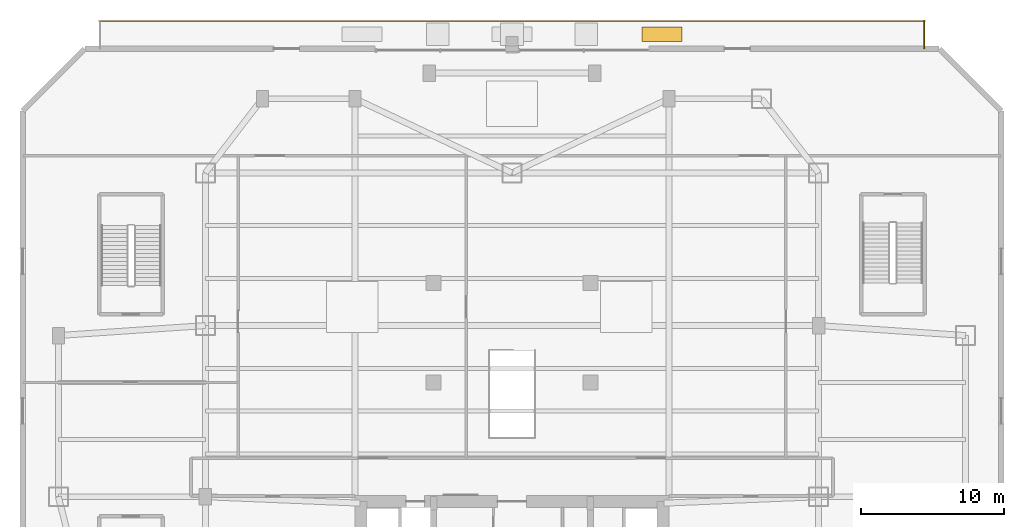
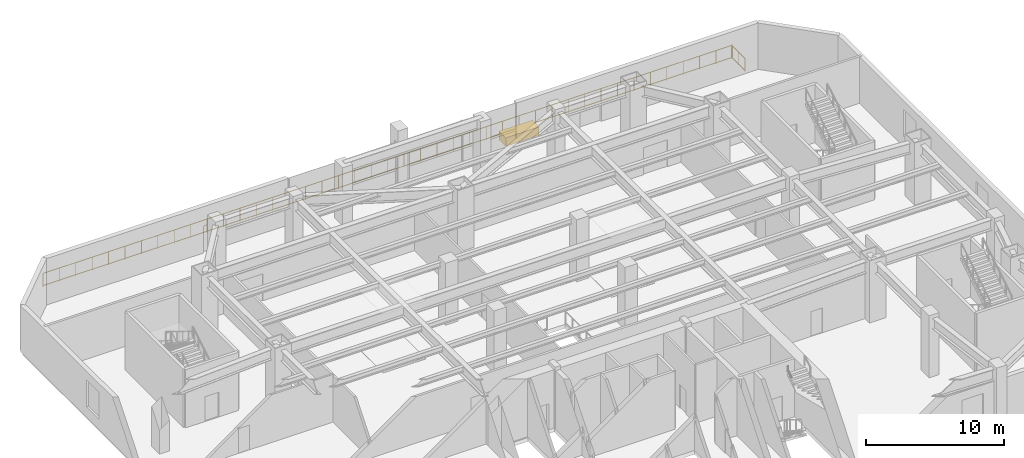
# One storey, part 10 of 10: 2 railings, 1 covering.
"""IFC4 building model written with IfcOpenShell, lengths in metres."""

from ifc_helpers import new_model, si_unit, direction, frame, origin, origin_2d, place, context, subcontext, project, spatial, rectangle, extrude, source, transform, mapped, material, layer, layer_set, type_object, type_shapes, element, save


model = new_model("IFC4")

# Units and contexts
model_context = context("Model", 3, precision=1e-05, world=origin(), true_north=direction((0.0, 1.0)))
body_context = subcontext(model_context, "Body", "Model", "MODEL_VIEW")
ifc_project = project(units=[si_unit("LENGTHUNIT", "METRE"), si_unit("AREAUNIT", "SQUARE_METRE"), si_unit("VOLUMEUNIT", "CUBIC_METRE"), si_unit("PLANEANGLEUNIT", "RADIAN"), si_unit("MASSUNIT", "GRAM", prefix="KILO")], contexts=[model_context])

# Site, building, storey
site_placement = place(None, origin())
site = spatial("IfcSite", under=ifc_project, at=site_placement, CompositionType="ELEMENT")
building_placement = place(site_placement, origin())
building = spatial("IfcBuilding", under=site, at=building_placement, Name="Varnakhor Terracotta Tower", CompositionType="ELEMENT")
storey_placement = place(building_placement, frame((0.0, 0.0, 5.5)))
storey = spatial("IfcBuildingStorey", under=building, at=storey_placement, Name="L01", CompositionType="ELEMENT", Elevation=5.5)

# Railings
ifc_material_1 = material(Name="Terracotta & Brushed Steel Balustrade", Category="masonry")
railing_type = type_object("IfcRailingType", Name="RLG-TERRACE-GUARD-1200", PredefinedType="BALUSTRADE", material=ifc_material_1)
railing_1_placement = place(storey_placement, frame((-28.949951171875, 49.85009765625, 0.0)))
element("IfcRailing", 1, at=railing_1_placement, inside=storey, type_object=railing_type, Name="L01 Terrace Stone Parapet Guard 1", PredefinedType="BALUSTRADE", context=body_context, shape_type="SweptSolid", body=[
    extrude(rectangle(XDim=0.048095703125, YDim=0.048095703125, at=origin_2d()), frame((0.0, 0.0, 1.17578125), z_axis=(1.0, 0.0, 0.0), x_axis=(0.0, 1.0, 0.0)), (0.0, 0.0, 1.0), 57.89990234375),
    extrude(rectangle(XDim=0.048095703125, YDim=0.048095703125, at=origin_2d()), frame((0.0, 0.0, 0.10009765625), z_axis=(1.0, 0.0, 0.0), x_axis=(0.0, 1.0, 0.0)), (0.0, 0.0, 1.0), 57.89990234375),
    extrude(rectangle(XDim=0.0419921875, YDim=0.0419921875, at=origin_2d()), origin(), (0.0, 0.0, 1.0), 1.15185546875),
    extrude(rectangle(XDim=0.0419921875, YDim=0.0419921875, at=origin_2d()), frame((1.378662109375, 0.0, 0.0)), (0.0, 0.0, 1.0), 1.15185546875),
    extrude(rectangle(XDim=0.0419921875, YDim=0.0419921875, at=origin_2d()), frame((2.757080078125, 0.0, 0.0)), (0.0, 0.0, 1.0), 1.15185546875),
    extrude(rectangle(XDim=0.0419921875, YDim=0.0419921875, at=origin_2d()), frame((4.1357421875, 0.0, 0.0)), (0.0, 0.0, 1.0), 1.15185546875),
    extrude(rectangle(XDim=0.0419921875, YDim=0.0419921875, at=origin_2d()), frame((5.51416015625, 0.0, 0.0)), (0.0, 0.0, 1.0), 1.15185546875),
    extrude(rectangle(XDim=0.0419921875, YDim=0.0419921875, at=origin_2d()), frame((6.892822265625, 0.0, 0.0)), (0.0, 0.0, 1.0), 1.15185546875),
    extrude(rectangle(XDim=0.0419921875, YDim=0.0419921875, at=origin_2d()), frame((8.271484375, 0.0, 0.0)), (0.0, 0.0, 1.0), 1.15185546875),
    extrude(rectangle(XDim=0.0419921875, YDim=0.0419921875, at=origin_2d()), frame((9.64990234375, 0.0, 0.0)), (0.0, 0.0, 1.0), 1.15185546875),
    extrude(rectangle(XDim=0.0419921875, YDim=0.0419921875, at=origin_2d()), frame((11.028564453125, 0.0, 0.0)), (0.0, 0.0, 1.0), 1.15185546875),
    extrude(rectangle(XDim=0.0419921875, YDim=0.0419921875, at=origin_2d()), frame((12.4072265625, 0.0, 0.0)), (0.0, 0.0, 1.0), 1.15185546875),
    extrude(rectangle(XDim=0.0419921875, YDim=0.0419921875, at=origin_2d()), frame((13.78564453125, 0.0, 0.0)), (0.0, 0.0, 1.0), 1.15185546875),
    extrude(rectangle(XDim=0.0419921875, YDim=0.0419921875, at=origin_2d()), frame((15.164306640625, 0.0, 0.0)), (0.0, 0.0, 1.0), 1.15185546875),
    extrude(rectangle(XDim=0.0419921875, YDim=0.0419921875, at=origin_2d()), frame((16.542724609375, 0.0, 0.0)), (0.0, 0.0, 1.0), 1.15185546875),
    extrude(rectangle(XDim=0.0419921875, YDim=0.0419921875, at=origin_2d()), frame((17.92138671875, 0.0, 0.0)), (0.0, 0.0, 1.0), 1.15185546875),
    extrude(rectangle(XDim=0.0419921875, YDim=0.0419921875, at=origin_2d()), frame((19.300048828125, 0.0, 0.0)), (0.0, 0.0, 1.0), 1.15185546875),
    extrude(rectangle(XDim=0.0419921875, YDim=0.0419921875, at=origin_2d()), frame((20.678466796875, 0.0, 0.0)), (0.0, 0.0, 1.0), 1.15185546875),
    extrude(rectangle(XDim=0.0419921875, YDim=0.0419921875, at=origin_2d()), frame((22.05712890625, 0.0, 0.0)), (0.0, 0.0, 1.0), 1.15185546875),
    extrude(rectangle(XDim=0.0419921875, YDim=0.0419921875, at=origin_2d()), frame((23.435791015625, 0.0, 0.0)), (0.0, 0.0, 1.0), 1.15185546875),
    extrude(rectangle(XDim=0.0419921875, YDim=0.0419921875, at=origin_2d()), frame((24.814208984375, 0.0, 0.0)), (0.0, 0.0, 1.0), 1.15185546875),
    extrude(rectangle(XDim=0.0419921875, YDim=0.0419921875, at=origin_2d()), frame((26.19287109375, 0.0, 0.0)), (0.0, 0.0, 1.0), 1.15185546875),
    extrude(rectangle(XDim=0.0419921875, YDim=0.0419921875, at=origin_2d()), frame((27.5712890625, 0.0, 0.0)), (0.0, 0.0, 1.0), 1.15185546875),
    extrude(rectangle(XDim=0.0419921875, YDim=0.0419921875, at=origin_2d()), frame((28.949951171875, 0.0, 0.0)), (0.0, 0.0, 1.0), 1.15185546875),
    extrude(rectangle(XDim=0.0419921875, YDim=0.0419921875, at=origin_2d()), frame((30.32861328125, 0.0, 0.0)), (0.0, 0.0, 1.0), 1.15185546875),
    extrude(rectangle(XDim=0.0419921875, YDim=0.0419921875, at=origin_2d()), frame((31.70703125, 0.0, 0.0)), (0.0, 0.0, 1.0), 1.15185546875),
    extrude(rectangle(XDim=0.0419921875, YDim=0.0419921875, at=origin_2d()), frame((33.085693359375, 0.0, 0.0)), (0.0, 0.0, 1.0), 1.15185546875),
    extrude(rectangle(XDim=0.0419921875, YDim=0.0419921875, at=origin_2d()), frame((34.464111328125, 0.0, 0.0)), (0.0, 0.0, 1.0), 1.15185546875),
    extrude(rectangle(XDim=0.0419921875, YDim=0.0419921875, at=origin_2d()), frame((35.8427734375, 0.0, 0.0)), (0.0, 0.0, 1.0), 1.15185546875),
    extrude(rectangle(XDim=0.0419921875, YDim=0.0419921875, at=origin_2d()), frame((37.221435546875, 0.0, 0.0)), (0.0, 0.0, 1.0), 1.15185546875),
    extrude(rectangle(XDim=0.0419921875, YDim=0.0419921875, at=origin_2d()), frame((38.599853515625, 0.0, 0.0)), (0.0, 0.0, 1.0), 1.15185546875),
    extrude(rectangle(XDim=0.0419921875, YDim=0.0419921875, at=origin_2d()), frame((39.978515625, 0.0, 0.0)), (0.0, 0.0, 1.0), 1.15185546875),
    extrude(rectangle(XDim=0.0419921875, YDim=0.0419921875, at=origin_2d()), frame((41.357177734375, 0.0, 0.0)), (0.0, 0.0, 1.0), 1.15185546875),
    extrude(rectangle(XDim=0.0419921875, YDim=0.0419921875, at=origin_2d()), frame((42.735595703125, 0.0, 0.0)), (0.0, 0.0, 1.0), 1.15185546875),
    extrude(rectangle(XDim=0.0419921875, YDim=0.0419921875, at=origin_2d()), frame((44.1142578125, 0.0, 0.0)), (0.0, 0.0, 1.0), 1.15185546875),
    extrude(rectangle(XDim=0.0419921875, YDim=0.0419921875, at=origin_2d()), frame((45.49267578125, 0.0, 0.0)), (0.0, 0.0, 1.0), 1.15185546875),
    extrude(rectangle(XDim=0.0419921875, YDim=0.0419921875, at=origin_2d()), frame((46.871337890625, 0.0, 0.0)), (0.0, 0.0, 1.0), 1.15185546875),
    extrude(rectangle(XDim=0.0419921875, YDim=0.0419921875, at=origin_2d()), frame((48.25, 0.0, 0.0)), (0.0, 0.0, 1.0), 1.15185546875),
    extrude(rectangle(XDim=0.0419921875, YDim=0.0419921875, at=origin_2d()), frame((49.62841796875, 0.0, 0.0)), (0.0, 0.0, 1.0), 1.15185546875),
    extrude(rectangle(XDim=0.0419921875, YDim=0.0419921875, at=origin_2d()), frame((51.007080078125, 0.0, 0.0)), (0.0, 0.0, 1.0), 1.15185546875),
    extrude(rectangle(XDim=0.0419921875, YDim=0.0419921875, at=origin_2d()), frame((52.3857421875, 0.0, 0.0)), (0.0, 0.0, 1.0), 1.15185546875),
    extrude(rectangle(XDim=0.0419921875, YDim=0.0419921875, at=origin_2d()), frame((53.76416015625, 0.0, 0.0)), (0.0, 0.0, 1.0), 1.15185546875),
    extrude(rectangle(XDim=0.0419921875, YDim=0.0419921875, at=origin_2d()), frame((55.142822265625, 0.0, 0.0)), (0.0, 0.0, 1.0), 1.15185546875),
    extrude(rectangle(XDim=0.0419921875, YDim=0.0419921875, at=origin_2d()), frame((56.521240234375, 0.0, 0.0)), (0.0, 0.0, 1.0), 1.15185546875),
    extrude(rectangle(XDim=0.0419921875, YDim=0.0419921875, at=origin_2d()), frame((57.89990234375, 0.0, 0.0)), (0.0, 0.0, 1.0), 1.15185546875),
])
railing_2_placement = place(storey_placement, frame((28.89990234375, 49.89990234375, 0.0)))
element("IfcRailing", 2, at=railing_2_placement, inside=storey, type_object=railing_type, Name="L01 Terrace Stone Parapet Guard 2", PredefinedType="BALUSTRADE", context=body_context, shape_type="SweptSolid", body=[
    extrude(rectangle(XDim=0.048095703125, YDim=0.048095703125, at=origin_2d()), frame((0.0, 0.0, 1.17578125), z_axis=(0.0, -1.0, 0.0), x_axis=(1.0, 0.0, 0.0)), (0.0, 0.0, 1.0), 1.9599609375),
    extrude(rectangle(XDim=0.048095703125, YDim=0.048095703125, at=origin_2d()), frame((0.0, 0.0, 0.10009765625), z_axis=(0.0, -1.0, 0.0), x_axis=(1.0, 0.0, 0.0)), (0.0, 0.0, 1.0), 1.9599609375),
    extrude(rectangle(XDim=0.0419921875, YDim=0.0419921875, at=origin_2d()), origin(), (0.0, 0.0, 1.0), 1.15185546875),
    extrude(rectangle(XDim=0.0419921875, YDim=0.0419921875, at=origin_2d()), frame((0.0, -0.97998046875, 0.0)), (0.0, 0.0, 1.0), 1.15185546875),
    extrude(rectangle(XDim=0.0419921875, YDim=0.0419921875, at=origin_2d()), frame((0.0, -1.9599609375, 0.0)), (0.0, 0.0, 1.0), 1.15185546875),
])

# Covering
ifc_material_2 = material(Name="Planted Terracotta Garden Substrate Bed", Category="masonry")
ifc_layer = layer(ifc_material_2, 0.449951171875, Name="Planted Terracotta Garden Substrate Bed")
ifc_layer_set = layer_set([ifc_layer], Name="Planted Terracotta Garden Substrate Bed")
covering_type = type_object("IfcCoveringType", Name="PLANTER TERRACOTTA BED", PredefinedType="USERDEFINED", material=ifc_layer_set)
shared_shape = source(origin(), body_context, "Body", "SweptSolid", [
    extrude(rectangle(XDim=2.800048828125, YDim=1.0, at=origin_2d()), origin(), (0.0, 0.0, 1.0), 0.75),
])
type_shapes(covering_type, [shared_shape])
covering_placement = place(storey_placement, frame((10.5, 48.919921875, 0.0), z_axis=(0.0, 0.0, 1.0), x_axis=(1.0, 0.0, 0.0)))
element("IfcCovering", 3, at=covering_placement, inside=storey, type_object=covering_type, Name="L01 Terrace Landscaped Planter 3", ObjectType="PLANTER", PredefinedType="USERDEFINED", context=body_context, shape_type="MappedRepresentation", body=[
    mapped(shared_shape, transform((0.0, 0.0, 0.0), scale=1.0)),
])

save(model, "model.ifc")
